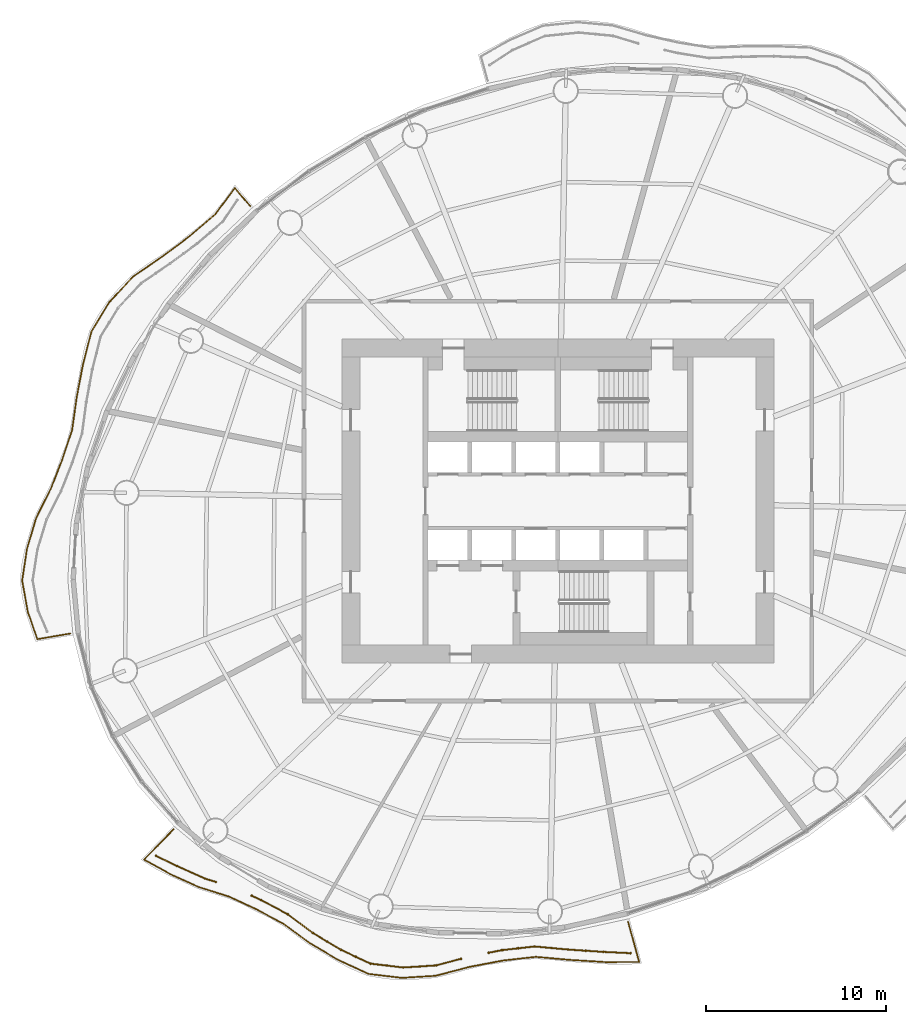
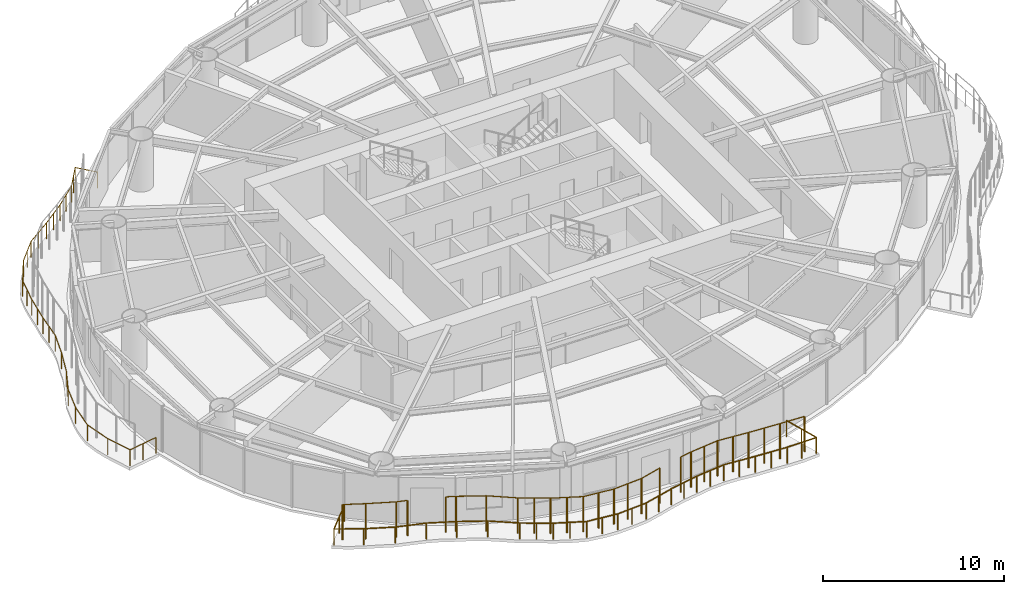
# One storey, part 12 of 16: 5 railings.
"""IFC4 building model written with IfcOpenShell, lengths in metres."""

from ifc_helpers import new_model, si_unit, direction, frame, origin, origin_2d, place, context, subcontext, project, spatial, circle, extrude, material, type_object, element, save


model = new_model("IFC4")

# Units and contexts
model_context = context("Model", 3, precision=1e-05, world=origin(), true_north=direction((0.0, 1.0)))
body_context = subcontext(model_context, "Body", "Model", "MODEL_VIEW")
ifc_project = project(units=[si_unit("LENGTHUNIT", "METRE"), si_unit("AREAUNIT", "SQUARE_METRE"), si_unit("VOLUMEUNIT", "CUBIC_METRE"), si_unit("PLANEANGLEUNIT", "RADIAN"), si_unit("MASSUNIT", "GRAM", prefix="KILO")], contexts=[model_context])

# Site, building, storey
site_placement = place(None, origin())
site = spatial("IfcSite", under=ifc_project, at=site_placement, CompositionType="ELEMENT")
building_placement = place(site_placement, origin())
building = spatial("IfcBuilding", under=site, at=building_placement, Name="Vermilion Reach Broadcast Tower", CompositionType="ELEMENT")
storey_placement = place(building_placement, frame((0.0, 0.0, 147.0)))
storey = spatial("IfcBuildingStorey", under=building, at=storey_placement, Name="L34", CompositionType="ELEMENT", Elevation=147.0)

# Railings
ifc_material_1 = material(Name="Terracotta baguette", Category="masonry")
railing_type_1 = type_object("IfcRailingType", Name="BAGUETTE SCREEN", PredefinedType="USERDEFINED", material=ifc_material_1)
railing_1_placement = place(storey_placement, frame((-28.322021484375, -19.7080078125, 0.0)))
element("IfcRailing", 1, at=railing_1_placement, inside=storey, type_object=railing_type_1, Name="Baguette screen L34 group 3 part 1", ObjectType="BAGUETTE SCREEN", PredefinedType="USERDEFINED", context=body_context, shape_type="SweptSolid", body=[
    extrude(circle(Radius=0.030029296875, at=origin_2d()), frame((0.0, 0.0, 2.369873046875), z_axis=(0.898564034713, -0.438842426755, 0.0), x_axis=(0.438842426755, 0.898564034713, 0.0)), (0.0, 0.0, 1.0), 1.2861328125),
    extrude(circle(Radius=0.030029296875, at=origin_2d()), frame((1.15576171875, -0.564453125, 2.369873046875), z_axis=(0.912581406312, -0.408895068267, 0.0), x_axis=(0.408895068267, 0.912581406312, 0.0)), (0.0, 0.0, 1.0), 1.699951171875),
    extrude(circle(Radius=0.030029296875, at=origin_2d()), frame((2.70703125, -1.259521484375, 2.369873046875), z_axis=(0.956173818827, -0.292799638301, 0.0), x_axis=(0.292799638301, 0.956173818827, 0.0)), (0.0, 0.0, 1.0), 0.640380859375),
    extrude(circle(Radius=0.050048828125, at=origin_2d()), origin(), (0.0, 0.0, 1.0), 2.33984375),
    extrude(circle(Radius=0.050048828125, at=origin_2d()), frame((1.15576171875, -0.564453125, 0.0)), (0.0, 0.0, 1.0), 2.33984375),
    extrude(circle(Radius=0.050048828125, at=origin_2d()), frame((2.70703125, -1.259521484375, 0.0)), (0.0, 0.0, 1.0), 2.33984375),
    extrude(circle(Radius=0.050048828125, at=origin_2d()), frame((3.3193359375, -1.447021484375, 0.0)), (0.0, 0.0, 1.0), 2.33984375),
])
railing_2_placement = place(storey_placement, frame((-23.009765625, -21.91748046875, 0.0)))
element("IfcRailing", 2, at=railing_2_placement, inside=storey, type_object=railing_type_1, Name="Baguette screen L34 group 3 part 2", ObjectType="BAGUETTE SCREEN", PredefinedType="USERDEFINED", context=body_context, shape_type="SweptSolid", body=[
    extrude(circle(Radius=0.030029296875, at=origin_2d()), frame((0.0, 0.0, 2.369873046875), z_axis=(0.906818744344, -0.421520776365, 0.0), x_axis=(0.421520776365, 0.906818744344, 0.0)), (0.0, 0.0, 1.0), 0.578125),
    extrude(circle(Radius=0.030029296875, at=origin_2d()), frame((0.524169921875, -0.24365234375, 2.369873046875), z_axis=(0.882187063852, -0.470899123351, 0.0), x_axis=(0.470899123351, 0.882187063852, 0.0)), (0.0, 0.0, 1.0), 1.6708984375),
    extrude(circle(Radius=0.030029296875, at=origin_2d()), frame((1.998291015625, -1.030517578125, 2.369873046875), z_axis=(0.801286460517, -0.598280877341, 0.0), x_axis=(0.598280877341, 0.801286460517, 0.0)), (0.0, 0.0, 1.0), 1.7509765625),
    extrude(circle(Radius=0.030029296875, at=origin_2d()), frame((3.4013671875, -2.078125, 2.369873046875), z_axis=(0.858182050003, -0.513345467548, 0.0), x_axis=(0.513345467548, 0.858182050003, 0.0)), (0.0, 0.0, 1.0), 1.81103515625),
    extrude(circle(Radius=0.030029296875, at=origin_2d()), frame((4.95556640625, -3.0078125, 2.369873046875), z_axis=(0.905805386782, -0.423693994855, 0.0), x_axis=(0.423693994855, 0.905805386782, 0.0)), (0.0, 0.0, 1.0), 1.81787109375),
    extrude(circle(Radius=0.030029296875, at=origin_2d()), frame((6.602294921875, -3.778076171875, 2.369873046875), z_axis=(0.993075018554, -0.117481945523, 0.0), x_axis=(0.117481945523, 0.993075018554, 0.0)), (0.0, 0.0, 1.0), 1.8349609375),
    extrude(circle(Radius=0.030029296875, at=origin_2d()), frame((8.424560546875, -3.99365234375, 2.369873046875), z_axis=(0.997887213175, 0.064970068357, 0.0), x_axis=(-0.064970068357, 0.997887213175, 0.0)), (0.0, 0.0, 1.0), 1.84130859375),
    extrude(circle(Radius=0.030029296875, at=origin_2d()), frame((10.261962890625, -3.8740234375, 2.369873046875), z_axis=(0.966006328516, 0.258518419589, 0.0), x_axis=(-0.258518419589, 0.966006328516, 0.0)), (0.0, 0.0, 1.0), 1.42041015625),
    extrude(circle(Radius=0.050048828125, at=origin_2d()), origin(), (0.0, 0.0, 1.0), 2.33984375),
    extrude(circle(Radius=0.050048828125, at=origin_2d()), frame((0.524169921875, -0.24365234375, 0.0)), (0.0, 0.0, 1.0), 2.33984375),
    extrude(circle(Radius=0.050048828125, at=origin_2d()), frame((1.998291015625, -1.030517578125, 0.0)), (0.0, 0.0, 1.0), 2.33984375),
    extrude(circle(Radius=0.050048828125, at=origin_2d()), frame((3.4013671875, -2.078125, 0.0)), (0.0, 0.0, 1.0), 2.33984375),
    extrude(circle(Radius=0.050048828125, at=origin_2d()), frame((4.178466796875, -2.54296875, 0.0)), (0.0, 0.0, 1.0), 2.33984375),
    extrude(circle(Radius=0.050048828125, at=origin_2d()), frame((4.95556640625, -3.0078125, 0.0)), (0.0, 0.0, 1.0), 2.33984375),
    extrude(circle(Radius=0.050048828125, at=origin_2d()), frame((5.77880859375, -3.39306640625, 0.0)), (0.0, 0.0, 1.0), 2.33984375),
    extrude(circle(Radius=0.050048828125, at=origin_2d()), frame((6.602294921875, -3.778076171875, 0.0)), (0.0, 0.0, 1.0), 2.33984375),
    extrude(circle(Radius=0.050048828125, at=origin_2d()), frame((7.513427734375, -3.8857421875, 0.0)), (0.0, 0.0, 1.0), 2.33984375),
    extrude(circle(Radius=0.050048828125, at=origin_2d()), frame((8.424560546875, -3.99365234375, 0.0)), (0.0, 0.0, 1.0), 2.33984375),
    extrude(circle(Radius=0.050048828125, at=origin_2d()), frame((9.34326171875, -3.933837890625, 0.0)), (0.0, 0.0, 1.0), 2.33984375),
    extrude(circle(Radius=0.050048828125, at=origin_2d()), frame((10.261962890625, -3.8740234375, 0.0)), (0.0, 0.0, 1.0), 2.33984375),
    extrude(circle(Radius=0.050048828125, at=origin_2d()), frame((11.634033203125, -3.5068359375, 0.0)), (0.0, 0.0, 1.0), 2.33984375),
])
railing_3_placement = place(storey_placement, frame((-9.841552734375, -25.090576171875, 0.0)))
element("IfcRailing", 3, at=railing_3_placement, inside=storey, type_object=railing_type_1, Name="Baguette screen L34 group 3 part 3", ObjectType="BAGUETTE SCREEN", PredefinedType="USERDEFINED", context=body_context, shape_type="SweptSolid", body=[
    extrude(circle(Radius=0.030029296875, at=origin_2d()), frame((0.0, 0.0, 2.369873046875), z_axis=(0.981552936154, 0.191190568614, 0.0), x_axis=(-0.191190568614, 0.981552936154, 0.0)), (0.0, 0.0, 1.0), 0.75341796875),
    extrude(circle(Radius=0.030029296875, at=origin_2d()), frame((0.739501953125, 0.14404296875, 2.369873046875), z_axis=(0.993643083776, 0.112576294417, 0.0), x_axis=(-0.112576294417, 0.993643083776, 0.0)), (0.0, 0.0, 1.0), 1.82373046875),
    extrude(circle(Radius=0.030029296875, at=origin_2d()), frame((2.5517578125, 0.349365234375, 2.369873046875), z_axis=(0.995763198559, -0.091954621393, 0.0), x_axis=(0.091954621393, 0.995763198559, 0.0)), (0.0, 0.0, 1.0), 1.877197265625),
    extrude(circle(Radius=0.030029296875, at=origin_2d()), frame((4.4208984375, 0.1767578125, 2.369873046875), z_axis=(0.997821632954, -0.065969605195, 0.0), x_axis=(0.065969605195, 0.997821632954, 0.0)), (0.0, 0.0, 1.0), 1.946533203125),
    extrude(circle(Radius=0.030029296875, at=origin_2d()), frame((6.36328125, 0.04833984375, 2.369873046875), z_axis=(0.998850293945, -0.047938400945, 0.0), x_axis=(0.047938400945, 0.998850293945, 0.0)), (0.0, 0.0, 1.0), 1.522705078125),
    extrude(circle(Radius=0.050048828125, at=origin_2d()), origin(), (0.0, 0.0, 1.0), 2.33984375),
    extrude(circle(Radius=0.050048828125, at=origin_2d()), frame((0.739501953125, 0.14404296875, 0.0)), (0.0, 0.0, 1.0), 2.33984375),
    extrude(circle(Radius=0.050048828125, at=origin_2d()), frame((1.6455078125, 0.24658203125, 0.0)), (0.0, 0.0, 1.0), 2.33984375),
    extrude(circle(Radius=0.050048828125, at=origin_2d()), frame((2.5517578125, 0.349365234375, 0.0)), (0.0, 0.0, 1.0), 2.33984375),
    extrude(circle(Radius=0.050048828125, at=origin_2d()), frame((3.486328125, 0.26318359375, 0.0)), (0.0, 0.0, 1.0), 2.33984375),
    extrude(circle(Radius=0.050048828125, at=origin_2d()), frame((4.4208984375, 0.1767578125, 0.0)), (0.0, 0.0, 1.0), 2.33984375),
    extrude(circle(Radius=0.050048828125, at=origin_2d()), frame((5.39208984375, 0.112548828125, 0.0)), (0.0, 0.0, 1.0), 2.33984375),
    extrude(circle(Radius=0.050048828125, at=origin_2d()), frame((6.36328125, 0.04833984375, 0.0)), (0.0, 0.0, 1.0), 2.33984375),
    extrude(circle(Radius=0.050048828125, at=origin_2d()), frame((7.88427734375, -0.024658203125, 0.0)), (0.0, 0.0, 1.0), 2.33984375),
])
ifc_material_2 = material(Name="Stainless steel 316 balustrade", Category="steel")
railing_type_2 = type_object("IfcRailingType", Name="Balcony guard 1100", PredefinedType="BALUSTRADE", material=ifc_material_2)
railing_4_placement = place(storey_placement, frame((-23.097900390625, 16.395751953125, 0.0)))
element("IfcRailing", 4, at=railing_4_placement, inside=storey, type_object=railing_type_2, Name="Balcony guard L34 group 2", PredefinedType="BALUSTRADE", context=body_context, shape_type="SweptSolid", body=[
    extrude(circle(Radius=0.02490234375, at=origin_2d()), frame((0.0, 0.0, 1.0751953125), z_axis=(-0.646058644376, 0.763287775368, 0.0), x_axis=(-0.763287775368, -0.646058644376, 0.0)), (0.0, 0.0, 1.0), 1.316162109375),
    extrude(circle(Radius=0.02490234375, at=origin_2d()), frame((-0.850341796875, 1.004638671875, 1.0751953125), z_axis=(-0.595314890282, -0.803492489951, 0.0), x_axis=(0.803492489951, -0.595314890282, 0.0)), (0.0, 0.0, 1.0), 1.804931640625),
    extrude(circle(Radius=0.02490234375, at=origin_2d()), frame((-1.9248046875, -0.445556640625, 1.0751953125), z_axis=(-0.758891510646, -0.651217072157, 0.0), x_axis=(0.651217072157, -0.758891510646, 0.0)), (0.0, 0.0, 1.0), 1.888671875),
    extrude(circle(Radius=0.02490234375, at=origin_2d()), frame((-3.358154296875, -1.675537109375, 1.0751953125), z_axis=(-0.801976587253, -0.597355466618, 0.0), x_axis=(0.597355466618, -0.801976587253, 0.0)), (0.0, 0.0, 1.0), 1.90771484375),
    extrude(circle(Radius=0.02490234375, at=origin_2d()), frame((-4.88818359375, -2.815185546875, 1.0751953125), z_axis=(-0.823930792642, -0.566690434838, 0.0), x_axis=(0.566690434838, -0.823930792642, 0.0)), (0.0, 0.0, 1.0), 1.9873046875),
    extrude(circle(Radius=0.02490234375, at=origin_2d()), frame((-6.525634765625, -3.94140625, 1.0751953125), z_axis=(-0.679428466266, -0.733741752408, 0.0), x_axis=(0.733741752408, -0.679428466266, 0.0)), (0.0, 0.0, 1.0), 1.906005859375),
    extrude(circle(Radius=0.02490234375, at=origin_2d()), frame((-7.820556640625, -5.33984375, 1.0751953125), z_axis=(-0.521366958988, -0.853332581164, 0.0), x_axis=(0.853332581164, -0.521366958988, 0.0)), (0.0, 0.0, 1.0), 1.902587890625),
    extrude(circle(Radius=0.02490234375, at=origin_2d()), frame((-8.8125, -6.96337890625, 1.0751953125), z_axis=(-0.249505357766, -0.968373417874, 0.0), x_axis=(0.968373417874, -0.249505357766, 0.0)), (0.0, 0.0, 1.0), 1.902099609375),
    extrude(circle(Radius=0.02490234375, at=origin_2d()), frame((-9.287109375, -8.805419921875, 1.0751953125), z_axis=(-0.186342295751, -0.982484884776, 0.0), x_axis=(0.982484884776, -0.186342295751, 0.0)), (0.0, 0.0, 1.0), 1.880126953125),
    extrude(circle(Radius=0.02490234375, at=origin_2d()), frame((-9.637451171875, -10.652587890625, 1.0751953125), z_axis=(-0.138573373158, -0.990352169812, 0.0), x_axis=(0.990352169812, -0.138573373158, 0.0)), (0.0, 0.0, 1.0), 1.800537109375),
    extrude(circle(Radius=0.02490234375, at=origin_2d()), frame((-9.886962890625, -12.435791015625, 1.0751953125), z_axis=(-0.315556884022, -0.948906661873, 0.0), x_axis=(0.948906661873, -0.315556884022, 0.0)), (0.0, 0.0, 1.0), 1.7470703125),
    extrude(circle(Radius=0.02490234375, at=origin_2d()), frame((-10.438232421875, -14.093505859375, 1.0751953125), z_axis=(-0.365521427659, -0.930802925394, 0.0), x_axis=(0.930802925394, -0.365521427659, 0.0)), (0.0, 0.0, 1.0), 1.730712890625),
    extrude(circle(Radius=0.02490234375, at=origin_2d()), frame((-11.07080078125, -15.704345703125, 1.0751953125), z_axis=(-0.446411718665, -0.894827680304, 0.0), x_axis=(0.894827680304, -0.446411718665, 0.0)), (0.0, 0.0, 1.0), 1.8271484375),
    extrude(circle(Radius=0.02490234375, at=origin_2d()), frame((-11.886474609375, -17.33935546875, 1.0751953125), z_axis=(-0.286956252091, -0.957943688003, 0.0), x_axis=(0.957943688003, -0.286956252091, 0.0)), (0.0, 0.0, 1.0), 1.77294921875),
    extrude(circle(Radius=0.02490234375, at=origin_2d()), frame((-12.395263671875, -19.037841796875, 1.0751953125), z_axis=(-0.15094546011, -0.988542092211, 0.0), x_axis=(0.988542092211, -0.15094546011, 0.0)), (0.0, 0.0, 1.0), 1.782470703125),
    extrude(circle(Radius=0.02490234375, at=origin_2d()), frame((-12.664306640625, -20.7998046875, 1.0751953125), z_axis=(0.175785802188, -0.98442843912, 0.0), x_axis=(0.98442843912, 0.175785802188, 0.0)), (0.0, 0.0, 1.0), 1.7470703125),
    extrude(circle(Radius=0.02490234375, at=origin_2d()), frame((-12.357177734375, -22.519775390625, 1.0751953125), z_axis=(0.327946874301, -0.944696166837, 0.0), x_axis=(0.944696166837, 0.327946874301, 0.0)), (0.0, 0.0, 1.0), 1.634033203125),
    extrude(circle(Radius=0.02490234375, at=origin_2d()), frame((-11.8212890625, -24.0634765625, 1.0751953125), z_axis=(0.98552099839, 0.169553418521, 0.0), x_axis=(-0.169553418521, 0.98552099839, 0.0)), (0.0, 0.0, 1.0), 1.850341796875),
    extrude(circle(Radius=0.02490234375, at=origin_2d()), origin(), (0.0, 0.0, 1.0), 1.050048828125),
    extrude(circle(Radius=0.02490234375, at=origin_2d()), frame((-0.850341796875, 1.004638671875, 0.0)), (0.0, 0.0, 1.0), 1.050048828125),
    extrude(circle(Radius=0.02490234375, at=origin_2d()), frame((-1.3876953125, 0.279541015625, 0.0)), (0.0, 0.0, 1.0), 1.050048828125),
    extrude(circle(Radius=0.02490234375, at=origin_2d()), frame((-1.9248046875, -0.445556640625, 0.0)), (0.0, 0.0, 1.0), 1.050048828125),
    extrude(circle(Radius=0.02490234375, at=origin_2d()), frame((-2.6416015625, -1.060546875, 0.0)), (0.0, 0.0, 1.0), 1.050048828125),
    extrude(circle(Radius=0.02490234375, at=origin_2d()), frame((-3.358154296875, -1.675537109375, 0.0)), (0.0, 0.0, 1.0), 1.050048828125),
    extrude(circle(Radius=0.02490234375, at=origin_2d()), frame((-4.123046875, -2.245361328125, 0.0)), (0.0, 0.0, 1.0), 1.050048828125),
    extrude(circle(Radius=0.02490234375, at=origin_2d()), frame((-4.88818359375, -2.815185546875, 0.0)), (0.0, 0.0, 1.0), 1.050048828125),
    extrude(circle(Radius=0.02490234375, at=origin_2d()), frame((-5.70703125, -3.37841796875, 0.0)), (0.0, 0.0, 1.0), 1.050048828125),
    extrude(circle(Radius=0.02490234375, at=origin_2d()), frame((-6.525634765625, -3.94140625, 0.0)), (0.0, 0.0, 1.0), 1.050048828125),
    extrude(circle(Radius=0.02490234375, at=origin_2d()), frame((-7.173095703125, -4.640625, 0.0)), (0.0, 0.0, 1.0), 1.050048828125),
    extrude(circle(Radius=0.02490234375, at=origin_2d()), frame((-7.820556640625, -5.33984375, 0.0)), (0.0, 0.0, 1.0), 1.050048828125),
    extrude(circle(Radius=0.02490234375, at=origin_2d()), frame((-8.31640625, -6.151611328125, 0.0)), (0.0, 0.0, 1.0), 1.050048828125),
    extrude(circle(Radius=0.02490234375, at=origin_2d()), frame((-8.8125, -6.96337890625, 0.0)), (0.0, 0.0, 1.0), 1.050048828125),
    extrude(circle(Radius=0.02490234375, at=origin_2d()), frame((-9.0498046875, -7.88427734375, 0.0)), (0.0, 0.0, 1.0), 1.050048828125),
    extrude(circle(Radius=0.02490234375, at=origin_2d()), frame((-9.287109375, -8.805419921875, 0.0)), (0.0, 0.0, 1.0), 1.050048828125),
    extrude(circle(Radius=0.02490234375, at=origin_2d()), frame((-9.46240234375, -9.72900390625, 0.0)), (0.0, 0.0, 1.0), 1.050048828125),
    extrude(circle(Radius=0.02490234375, at=origin_2d()), frame((-9.637451171875, -10.652587890625, 0.0)), (0.0, 0.0, 1.0), 1.050048828125),
    extrude(circle(Radius=0.02490234375, at=origin_2d()), frame((-9.76220703125, -11.544189453125, 0.0)), (0.0, 0.0, 1.0), 1.050048828125),
    extrude(circle(Radius=0.02490234375, at=origin_2d()), frame((-9.886962890625, -12.435791015625, 0.0)), (0.0, 0.0, 1.0), 1.050048828125),
    extrude(circle(Radius=0.02490234375, at=origin_2d()), frame((-10.438232421875, -14.093505859375, 0.0)), (0.0, 0.0, 1.0), 1.050048828125),
    extrude(circle(Radius=0.02490234375, at=origin_2d()), frame((-11.07080078125, -15.704345703125, 0.0)), (0.0, 0.0, 1.0), 1.050048828125),
    extrude(circle(Radius=0.02490234375, at=origin_2d()), frame((-11.478515625, -16.52197265625, 0.0)), (0.0, 0.0, 1.0), 1.050048828125),
    extrude(circle(Radius=0.02490234375, at=origin_2d()), frame((-11.886474609375, -17.33935546875, 0.0)), (0.0, 0.0, 1.0), 1.050048828125),
    extrude(circle(Radius=0.02490234375, at=origin_2d()), frame((-12.395263671875, -19.037841796875, 0.0)), (0.0, 0.0, 1.0), 1.050048828125),
    extrude(circle(Radius=0.02490234375, at=origin_2d()), frame((-12.664306640625, -20.7998046875, 0.0)), (0.0, 0.0, 1.0), 1.050048828125),
    extrude(circle(Radius=0.02490234375, at=origin_2d()), frame((-12.357177734375, -22.519775390625, 0.0)), (0.0, 0.0, 1.0), 1.050048828125),
    extrude(circle(Radius=0.02490234375, at=origin_2d()), frame((-11.8212890625, -24.0634765625, 0.0)), (0.0, 0.0, 1.0), 1.050048828125),
    extrude(circle(Radius=0.02490234375, at=origin_2d()), frame((-10.90966796875, -23.90673828125, 0.0)), (0.0, 0.0, 1.0), 1.050048828125),
    extrude(circle(Radius=0.02490234375, at=origin_2d()), frame((-9.997802734375, -23.749755859375, 0.0)), (0.0, 0.0, 1.0), 1.050048828125),
])
railing_5_placement = place(storey_placement, frame((-27.3505859375, -18.23193359375, 0.0)))
element("IfcRailing", 5, at=railing_5_placement, inside=storey, type_object=railing_type_2, Name="Balcony guard L34 group 3", PredefinedType="BALUSTRADE", context=body_context, shape_type="SweptSolid", body=[
    extrude(circle(Radius=0.02490234375, at=origin_2d()), frame((0.0, 0.0, 1.0751953125), z_axis=(-0.695704451861, -0.718328139266, 0.0), x_axis=(0.718328139266, -0.695704451861, 0.0)), (0.0, 0.0, 1.0), 2.341796875),
    extrude(circle(Radius=0.02490234375, at=origin_2d()), frame((-1.629150390625, -1.68212890625, 1.0751953125), z_axis=(0.873368708266, -0.487059646677, 0.0), x_axis=(0.487059646677, 0.873368708266, 0.0)), (0.0, 0.0, 1.0), 1.652587890625),
    extrude(circle(Radius=0.02490234375, at=origin_2d()), frame((-0.185791015625, -2.487060546875, 1.0751953125), z_axis=(0.910198402553, -0.414172509939, 0.0), x_axis=(0.414172509939, 0.910198402553, 0.0)), (0.0, 0.0, 1.0), 1.741943359375),
    extrude(circle(Radius=0.02490234375, at=origin_2d()), frame((1.399658203125, -3.20849609375, 1.0751953125), z_axis=(0.954164308186, -0.299283265459, 0.0), x_axis=(0.299283265459, 0.954164308186, 0.0)), (0.0, 0.0, 1.0), 1.764404296875),
    extrude(circle(Radius=0.02490234375, at=origin_2d()), frame((3.083251953125, -3.736572265625, 1.0751953125), z_axis=(0.906000657166, -0.423276280004, 0.0), x_axis=(0.423276280004, 0.906000657166, 0.0)), (0.0, 0.0, 1.0), 1.675537109375),
    extrude(circle(Radius=0.02490234375, at=origin_2d()), frame((4.601318359375, -4.44580078125, 1.0751953125), z_axis=(0.882759158941, -0.469825783995, 0.0), x_axis=(0.469825783995, 0.882759158941, 0.0)), (0.0, 0.0, 1.0), 1.712158203125),
    extrude(circle(Radius=0.02490234375, at=origin_2d()), frame((6.11279296875, -5.250244140625, 1.0751953125), z_axis=(0.804870546692, -0.593450421743, 0.0), x_axis=(0.593450421743, 0.804870546692, 0.0)), (0.0, 0.0, 1.0), 1.788818359375),
    extrude(circle(Radius=0.02490234375, at=origin_2d()), frame((7.552490234375, -6.311767578125, 1.0751953125), z_axis=(0.8607030255, -0.509107357927, 0.0), x_axis=(0.509107357927, 0.8607030255, 0.0)), (0.0, 0.0, 1.0), 1.84912109375),
    extrude(circle(Radius=0.02490234375, at=origin_2d()), frame((9.14404296875, -7.253173828125, 1.0751953125), z_axis=(0.907550537242, -0.419942879867, 0.0), x_axis=(0.419942879867, 0.907550537242, 0.0)), (0.0, 0.0, 1.0), 1.8544921875),
    extrude(circle(Radius=0.02490234375, at=origin_2d()), frame((10.8271484375, -8.031982421875, 1.0751953125), z_axis=(0.992964197585, -0.118414958157, 0.0), x_axis=(0.118414958157, 0.992964197585, 0.0)), (0.0, 0.0, 1.0), 1.8720703125),
    extrude(circle(Radius=0.02490234375, at=origin_2d()), frame((12.68603515625, -8.253662109375, 1.0751953125), z_axis=(0.99809588069, 0.061681544648, 0.0), x_axis=(-0.061681544648, 0.99809588069, 0.0)), (0.0, 0.0, 1.0), 1.876220703125),
    extrude(circle(Radius=0.02490234375, at=origin_2d()), frame((14.55859375, -8.137939453125, 1.0751953125), z_axis=(0.967404341126, 0.253236728717, 0.0), x_axis=(-0.253236728717, 0.967404341126, 0.0)), (0.0, 0.0, 1.0), 1.951416015625),
    extrude(circle(Radius=0.02490234375, at=origin_2d()), frame((16.4462890625, -7.643798828125, 1.0751953125), z_axis=(0.98218663673, 0.187907984475, 0.0), x_axis=(-0.187907984475, 0.98218663673, 0.0)), (0.0, 0.0, 1.0), 1.860595703125),
    extrude(circle(Radius=0.02490234375, at=origin_2d()), frame((18.273681640625, -7.294189453125, 1.0751953125), z_axis=(0.993712689023, 0.111960223624, 0.0), x_axis=(-0.111960223624, 0.993712689023, 0.0)), (0.0, 0.0, 1.0), 1.85791015625),
    extrude(circle(Radius=0.02490234375, at=origin_2d()), frame((20.119873046875, -7.086181640625, 1.0751953125), z_axis=(0.996098166962, -0.088252148845, 0.0), x_axis=(0.088252148845, 0.996098166962, 0.0)), (0.0, 0.0, 1.0), 1.908935546875),
    extrude(circle(Radius=0.02490234375, at=origin_2d()), frame((22.021240234375, -7.254638671875, 1.0751953125), z_axis=(0.998086997363, -0.061825121869, 0.0), x_axis=(0.061825121869, 0.998086997363, 0.0)), (0.0, 0.0, 1.0), 1.978515625),
    extrude(circle(Radius=0.02490234375, at=origin_2d()), frame((23.995849609375, -7.376953125, 1.0751953125), z_axis=(0.999996937387, 0.002474917521, 0.0), x_axis=(-0.002474917521, 0.999996937387, 0.0)), (0.0, 0.0, 1.0), 1.874267578125),
    extrude(circle(Radius=0.02490234375, at=origin_2d()), frame((25.8701171875, -7.372314453125, 1.0751953125), z_axis=(-0.266228735251, 0.963909881953, 0.0), x_axis=(-0.963909881953, -0.266228735251, 0.0)), (0.0, 0.0, 1.0), 2.32275390625),
    extrude(circle(Radius=0.02490234375, at=origin_2d()), origin(), (0.0, 0.0, 1.0), 1.050048828125),
    extrude(circle(Radius=0.02490234375, at=origin_2d()), frame((-0.814453125, -0.841064453125, 0.0)), (0.0, 0.0, 1.0), 1.050048828125),
    extrude(circle(Radius=0.02490234375, at=origin_2d()), frame((-1.629150390625, -1.68212890625, 0.0)), (0.0, 0.0, 1.0), 1.050048828125),
    extrude(circle(Radius=0.02490234375, at=origin_2d()), frame((-0.185791015625, -2.487060546875, 0.0)), (0.0, 0.0, 1.0), 1.050048828125),
    extrude(circle(Radius=0.02490234375, at=origin_2d()), frame((1.399658203125, -3.20849609375, 0.0)), (0.0, 0.0, 1.0), 1.050048828125),
    extrude(circle(Radius=0.02490234375, at=origin_2d()), frame((3.083251953125, -3.736572265625, 0.0)), (0.0, 0.0, 1.0), 1.050048828125),
    extrude(circle(Radius=0.02490234375, at=origin_2d()), frame((4.601318359375, -4.44580078125, 0.0)), (0.0, 0.0, 1.0), 1.050048828125),
    extrude(circle(Radius=0.02490234375, at=origin_2d()), frame((6.11279296875, -5.250244140625, 0.0)), (0.0, 0.0, 1.0), 1.050048828125),
    extrude(circle(Radius=0.02490234375, at=origin_2d()), frame((7.552490234375, -6.311767578125, 0.0)), (0.0, 0.0, 1.0), 1.050048828125),
    extrude(circle(Radius=0.02490234375, at=origin_2d()), frame((8.34814453125, -6.782470703125, 0.0)), (0.0, 0.0, 1.0), 1.050048828125),
    extrude(circle(Radius=0.02490234375, at=origin_2d()), frame((9.14404296875, -7.253173828125, 0.0)), (0.0, 0.0, 1.0), 1.050048828125),
    extrude(circle(Radius=0.02490234375, at=origin_2d()), frame((9.985595703125, -7.642578125, 0.0)), (0.0, 0.0, 1.0), 1.050048828125),
    extrude(circle(Radius=0.02490234375, at=origin_2d()), frame((10.8271484375, -8.031982421875, 0.0)), (0.0, 0.0, 1.0), 1.050048828125),
    extrude(circle(Radius=0.02490234375, at=origin_2d()), frame((11.756591796875, -8.142822265625, 0.0)), (0.0, 0.0, 1.0), 1.050048828125),
    extrude(circle(Radius=0.02490234375, at=origin_2d()), frame((12.68603515625, -8.253662109375, 0.0)), (0.0, 0.0, 1.0), 1.050048828125),
    extrude(circle(Radius=0.02490234375, at=origin_2d()), frame((13.622314453125, -8.19580078125, 0.0)), (0.0, 0.0, 1.0), 1.050048828125),
    extrude(circle(Radius=0.02490234375, at=origin_2d()), frame((14.55859375, -8.137939453125, 0.0)), (0.0, 0.0, 1.0), 1.050048828125),
    extrude(circle(Radius=0.02490234375, at=origin_2d()), frame((15.50244140625, -7.890869140625, 0.0)), (0.0, 0.0, 1.0), 1.050048828125),
    extrude(circle(Radius=0.02490234375, at=origin_2d()), frame((16.4462890625, -7.643798828125, 0.0)), (0.0, 0.0, 1.0), 1.050048828125),
    extrude(circle(Radius=0.02490234375, at=origin_2d()), frame((17.35986328125, -7.468994140625, 0.0)), (0.0, 0.0, 1.0), 1.050048828125),
    extrude(circle(Radius=0.02490234375, at=origin_2d()), frame((18.273681640625, -7.294189453125, 0.0)), (0.0, 0.0, 1.0), 1.050048828125),
    extrude(circle(Radius=0.02490234375, at=origin_2d()), frame((19.19677734375, -7.190185546875, 0.0)), (0.0, 0.0, 1.0), 1.050048828125),
    extrude(circle(Radius=0.02490234375, at=origin_2d()), frame((20.119873046875, -7.086181640625, 0.0)), (0.0, 0.0, 1.0), 1.050048828125),
    extrude(circle(Radius=0.02490234375, at=origin_2d()), frame((21.070556640625, -7.17041015625, 0.0)), (0.0, 0.0, 1.0), 1.050048828125),
    extrude(circle(Radius=0.02490234375, at=origin_2d()), frame((22.021240234375, -7.254638671875, 0.0)), (0.0, 0.0, 1.0), 1.050048828125),
    extrude(circle(Radius=0.02490234375, at=origin_2d()), frame((23.008544921875, -7.31591796875, 0.0)), (0.0, 0.0, 1.0), 1.050048828125),
    extrude(circle(Radius=0.02490234375, at=origin_2d()), frame((23.995849609375, -7.376953125, 0.0)), (0.0, 0.0, 1.0), 1.050048828125),
    extrude(circle(Radius=0.02490234375, at=origin_2d()), frame((24.93310546875, -7.37451171875, 0.0)), (0.0, 0.0, 1.0), 1.050048828125),
    extrude(circle(Radius=0.02490234375, at=origin_2d()), frame((25.8701171875, -7.372314453125, 0.0)), (0.0, 0.0, 1.0), 1.050048828125),
    extrude(circle(Radius=0.02490234375, at=origin_2d()), frame((25.56103515625, -6.2529296875, 0.0)), (0.0, 0.0, 1.0), 1.050048828125),
    extrude(circle(Radius=0.02490234375, at=origin_2d()), frame((25.251708984375, -5.13330078125, 0.0)), (0.0, 0.0, 1.0), 1.050048828125),
])

save(model, "model.ifc")
